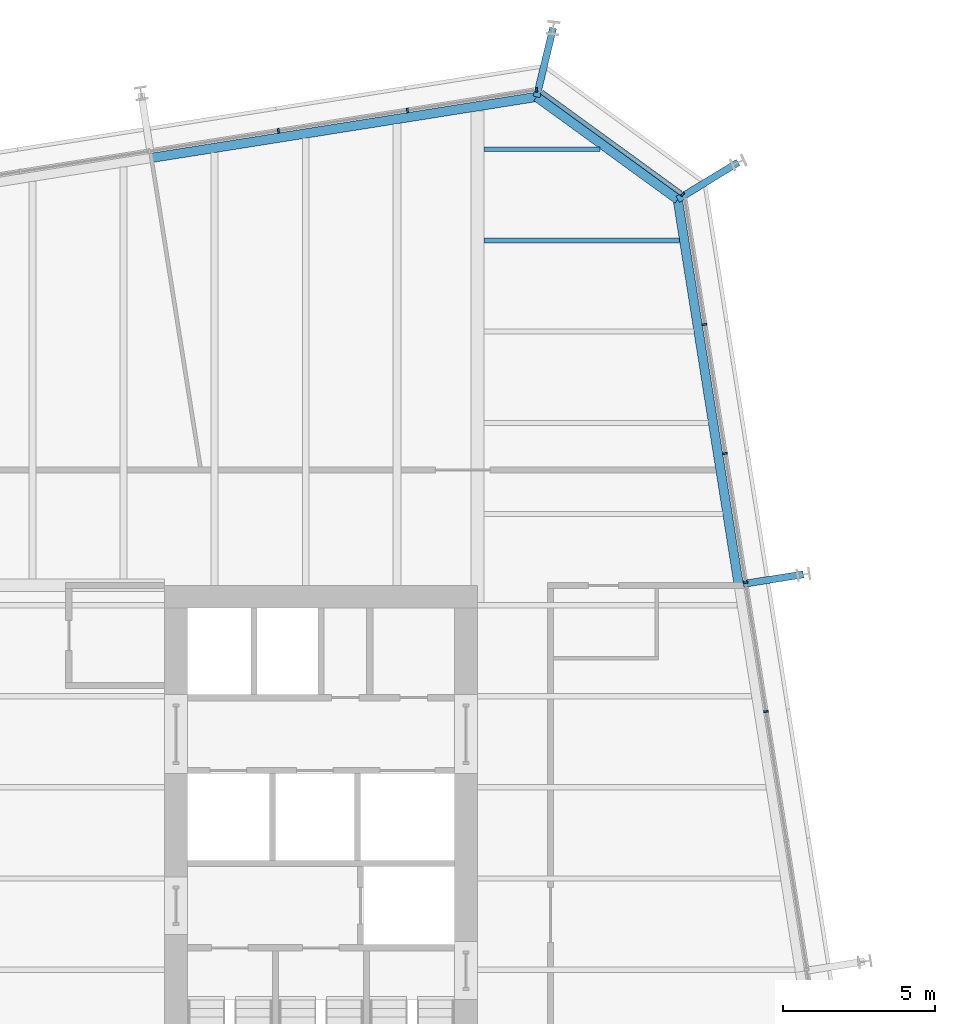
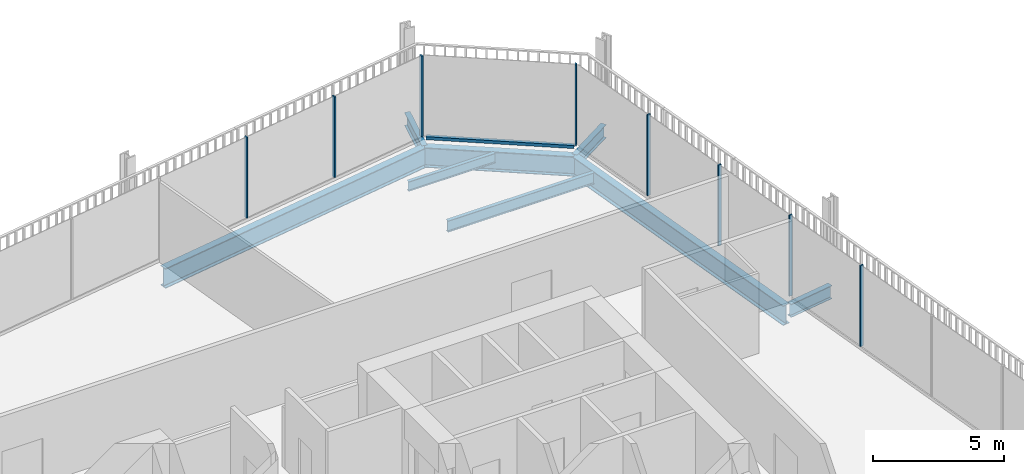
# One storey, part 15 of 21: 9 members, 8 beams, 3 elements without a shape of their own.
"""IFC4 building model written with IfcOpenShell, lengths in metres."""

from ifc_helpers import new_model, si_unit, direction, frame, origin, origin_2d, place, context, subcontext, project, spatial, rectangle, i_section, extrude, material, layer, layer_set, material_profile, profile_set, type_object, element, aggregate, save


model = new_model("IFC4")

# Units and contexts
model_context = context("Model", 3, precision=1e-05, world=origin(), true_north=direction((0.0, 1.0)))
body_context = subcontext(model_context, "Body", "Model", "MODEL_VIEW")
ifc_project = project(units=[si_unit("LENGTHUNIT", "METRE"), si_unit("AREAUNIT", "SQUARE_METRE"), si_unit("VOLUMEUNIT", "CUBIC_METRE"), si_unit("PLANEANGLEUNIT", "RADIAN"), si_unit("MASSUNIT", "GRAM", prefix="KILO")], contexts=[model_context])

# Site, building, storey
site_placement = place(None, origin())
site = spatial("IfcSite", under=ifc_project, at=site_placement, CompositionType="ELEMENT")
building_placement = place(site_placement, origin())
building = spatial("IfcBuilding", under=site, at=building_placement, Name="Millrace Tower", CompositionType="ELEMENT")
storey_placement = place(building_placement, frame((0.0, 0.0, 141.199951171875)))
storey = spatial("IfcBuildingStorey", under=building, at=storey_placement, Name="L31", CompositionType="ELEMENT", Elevation=141.199951171875)

# Curtain wall, members
ifc_material_1 = material(Name="Aluminium and glass", Category="aluminium")
ifc_layer = layer(ifc_material_1, 0.14990234375)
ifc_layer_set = layer_set([ifc_layer], Name="Aluminium and glass")
curtain_wall_type = type_object("IfcCurtainWallType", Name="CW-1 office vision curtain wall", PredefinedType="NOTDEFINED", material=ifc_layer_set)
placement = place(storey_placement, origin())
curtain_wall_1 = element("IfcCurtainWall", 1, at=placement, inside=storey, type_object=curtain_wall_type, Name="Curtain wall C-F04 L31", PredefinedType="NOTDEFINED")
ifc_material_2 = material(Name="Aluminium", Category="aluminium")
ifc_material_profile_1 = material_profile(ifc_material_2, rectangle(XDim=0.06494140625, YDim=0.14990234375, at=origin_2d()))
ifc_profile_set_1 = profile_set([ifc_material_profile_1], Name="Aluminium")
member_type_1 = type_object("IfcMemberType", Name="CW-1 office vision curtain wall mullion", PredefinedType="MULLION", material=ifc_profile_set_1)
member_1_placement = place(storey_placement, frame((24.143310546875, 5.49365234375, 0.14013671875), z_axis=(0.0, 0.0, 1.0), x_axis=(-0.15643447328, 0.98768833929, 0.0)))
member_1 = element("IfcMember", 2, at=member_1_placement, type_object=member_type_1, Name="CW1 mullion C-F04.6", PredefinedType="MULLION", context=body_context, shape_type="SweptSolid", body=[
    extrude(rectangle(XDim=0.06494140625, YDim=0.14990234375, at=origin_2d()), origin(), (0.0, 0.0, 1.0), 3.760009765625),
])
member_2_placement = place(storey_placement, frame((23.470703125, 9.74072265625, 0.14013671875), z_axis=(0.0, 0.0, 1.0), x_axis=(-0.15643447328, 0.98768833929, 0.0)))
member_2 = element("IfcMember", 3, at=member_2_placement, type_object=member_type_1, Name="CW1 mullion C-F04.7", PredefinedType="MULLION", context=body_context, shape_type="SweptSolid", body=[
    extrude(rectangle(XDim=0.06494140625, YDim=0.14990234375, at=origin_2d()), origin(), (0.0, 0.0, 1.0), 3.760009765625),
])
member_3_placement = place(storey_placement, frame((22.798095703125, 13.98779296875, 0.14013671875), z_axis=(0.0, 0.0, 1.0), x_axis=(-0.15643447328, 0.98768833929, 0.0)))
member_3 = element("IfcMember", 4, at=member_3_placement, type_object=member_type_1, Name="CW1 mullion C-F04.8", PredefinedType="MULLION", context=body_context, shape_type="SweptSolid", body=[
    extrude(rectangle(XDim=0.06494140625, YDim=0.14990234375, at=origin_2d()), origin(), (0.0, 0.0, 1.0), 3.760009765625),
])
member_4_placement = place(storey_placement, frame((22.125244140625, 18.23486328125, 0.14013671875), z_axis=(0.0, 0.0, 1.0), x_axis=(-0.15643447328, 0.98768833929, 0.0)))
member_4 = element("IfcMember", 5, at=member_4_placement, type_object=member_type_1, Name="CW1 mullion C-F04.9", PredefinedType="MULLION", context=body_context, shape_type="SweptSolid", body=[
    extrude(rectangle(XDim=0.06494140625, YDim=0.14990234375, at=origin_2d()), origin(), (0.0, 0.0, 1.0), 3.760009765625),
])
aggregate(curtain_wall_1, [member_1, member_2, member_3, member_4])

# Curtain wall, member
curtain_wall_2 = element("IfcCurtainWall", 6, at=placement, inside=storey, type_object=curtain_wall_type, Name="Curtain wall C-F05 L31", PredefinedType="NOTDEFINED")
member_5_placement = place(storey_placement, frame((21.4013671875, 22.517822265625, 0.14013671875), z_axis=(0.0, 0.0, 1.0), x_axis=(-0.809016981623, 0.587785269844, 0.0)))
member_5 = element("IfcMember", 7, at=member_5_placement, type_object=member_type_1, Name="CW1 mullion C-F05.1", PredefinedType="MULLION", context=body_context, shape_type="SweptSolid", body=[
    extrude(rectangle(XDim=0.06494140625, YDim=0.14990234375, at=origin_2d()), origin(), (0.0, 0.0, 1.0), 3.760009765625),
])

# Curtain wall, members
curtain_wall_3 = element("IfcCurtainWall", 8, at=placement, inside=storey, type_object=curtain_wall_type, Name="Curtain wall C-F06 L31", PredefinedType="NOTDEFINED")
member_6_placement = place(storey_placement, frame((16.591796875, 25.956787109375, 0.14013671875), z_axis=(0.0, 0.0, 1.0), x_axis=(-0.98768833929, -0.15643447328, 0.0)))
member_6 = element("IfcMember", 9, at=member_6_placement, type_object=member_type_1, Name="CW1 mullion C-F06.1", PredefinedType="MULLION", context=body_context, shape_type="SweptSolid", body=[
    extrude(rectangle(XDim=0.06494140625, YDim=0.14990234375, at=origin_2d()), origin(), (0.0, 0.0, 1.0), 3.760009765625),
])
member_7_placement = place(storey_placement, frame((12.3447265625, 25.283935546875, 0.14013671875), z_axis=(0.0, 0.0, 1.0), x_axis=(-0.98768833929, -0.15643447328, 0.0)))
member_7 = element("IfcMember", 10, at=member_7_placement, type_object=member_type_1, Name="CW1 mullion C-F06.2", PredefinedType="MULLION", context=body_context, shape_type="SweptSolid", body=[
    extrude(rectangle(XDim=0.06494140625, YDim=0.14990234375, at=origin_2d()), origin(), (0.0, 0.0, 1.0), 3.760009765625),
])
member_8_placement = place(storey_placement, frame((8.09765625, 24.611328125, 0.14013671875), z_axis=(0.0, 0.0, 1.0), x_axis=(-0.98768833929, -0.15643447328, 0.0)))
member_8 = element("IfcMember", 11, at=member_8_placement, type_object=member_type_1, Name="CW1 mullion C-F06.3", PredefinedType="MULLION", context=body_context, shape_type="SweptSolid", body=[
    extrude(rectangle(XDim=0.06494140625, YDim=0.14990234375, at=origin_2d()), origin(), (0.0, 0.0, 1.0), 3.760009765625),
])
aggregate(curtain_wall_3, [member_6, member_7, member_8])

# Member
ifc_material_3 = material(Name="Aluminium", Category="aluminium")
ifc_material_profile_2 = material_profile(ifc_material_3, rectangle(XDim=0.14990234375, YDim=0.139892578125, at=origin_2d()))
ifc_profile_set_2 = profile_set([ifc_material_profile_2], Name="Aluminium")
member_type_2 = type_object("IfcMemberType", Name="CW-1 office vision curtain wall transom", PredefinedType="USERDEFINED", material=ifc_profile_set_2)
member_9_placement = place(storey_placement, frame((21.346923828125, 22.557373046875, 0.070068359375), z_axis=(-0.809013470651, 0.587790102252, 0.0), x_axis=(-0.587790102252, -0.809013470651, 0.0)))
member_9 = element("IfcMember", 12, at=member_9_placement, type_object=member_type_2, Name="CW1 transom C-F05.1", ObjectType="TRANSOM", PredefinedType="USERDEFINED", context=body_context, shape_type="SweptSolid", body=[
    extrude(rectangle(XDim=0.14990234375, YDim=0.139892578125, at=origin_2d()), origin(), (0.0, 0.0, 1.0), 5.669189453125),
])

aggregate(curtain_wall_2, [member_5, member_9])

# Beams
ifc_material_4 = material(Name="Steel ASTM A992 Grade 50", Category="steel")
ifc_material_profile_3 = material_profile(ifc_material_4, i_section(OverallWidth=0.15234375, OverallDepth=0.449462890625, WebThickness=0.007568359375, FlangeThickness=0.0107421875, FilletRadius=0.01025390625, at=origin_2d()))
ifc_profile_set_3 = profile_set([ifc_material_profile_3], Name="Steel ASTM A992 Grade 50")
beam_type_1 = type_object("IfcBeamType", Name="Floor beam W18x35", PredefinedType="JOIST", material=ifc_profile_set_3)
beam_1_placement = place(storey_placement, frame((14.859619140625, 24.0, -0.384765625), z_axis=(1.0, 0.0, 0.0), x_axis=(0.0, 1.0, 0.0)))
element("IfcBeam", 13, at=beam_1_placement, inside=storey, type_object=beam_type_1, Name="BM-C-L31-S1-S038", PredefinedType="JOIST", context=body_context, shape_type="SweptSolid", body=[
    extrude(i_section(OverallWidth=0.15234375, OverallDepth=0.449462890625, WebThickness=0.007568359375, FlangeThickness=0.0107421875, FilletRadius=0.01025390625, at=origin_2d()), origin(), (0.0, 0.0, 1.0), 3.8232421875),
])
ifc_material_5 = material(Name="Steel ASTM A992 Grade 50", Category="steel")
ifc_material_profile_4 = material_profile(ifc_material_5, i_section(OverallWidth=0.1650390625, OverallDepth=0.52587890625, WebThickness=0.0087890625, FlangeThickness=0.011474609375, FilletRadius=0.0126953125, at=origin_2d()))
ifc_profile_set_4 = profile_set([ifc_material_profile_4], Name="Steel ASTM A992 Grade 50")
beam_type_2 = type_object("IfcBeamType", Name="Floor beam W21x44", PredefinedType="JOIST", material=ifc_profile_set_4)
beam_2_placement = place(storey_placement, frame((14.859619140625, 21.0, -0.4228515625), z_axis=(1.0, 0.0, 0.0), x_axis=(0.0, 1.0, 0.0)))
element("IfcBeam", 14, at=beam_2_placement, inside=storey, type_object=beam_type_2, Name="BM-C-L31-S1-S037", PredefinedType="JOIST", context=body_context, shape_type="SweptSolid", body=[
    extrude(i_section(OverallWidth=0.1650390625, OverallDepth=0.52587890625, WebThickness=0.0087890625, FlangeThickness=0.011474609375, FilletRadius=0.0126953125, at=origin_2d()), origin(), (0.0, 0.0, 1.0), 6.440673828125),
])
ifc_material_6 = material(Name="Steel ASTM A992 Grade 50", Category="steel")
ifc_material_profile_5 = material_profile(ifc_material_6, i_section(OverallWidth=0.23046875, OverallDepth=0.6171875, WebThickness=0.01318359375, FlangeThickness=0.022216796875, FilletRadius=0.012939453125, at=origin_2d()))
ifc_profile_set_5 = profile_set([ifc_material_profile_5], Name="Steel ASTM A992 Grade 50")
beam_type_3 = type_object("IfcBeamType", Name="Link beam W24x94", PredefinedType="BEAM", material=ifc_profile_set_5)
beam_3_placement = place(storey_placement, frame((16.5966796875, 25.725830078125, -0.468505859375), z_axis=(0.233432364948, 0.972373041068, 0.0), x_axis=(-0.972373041068, 0.233432364948, 0.0)))
element("IfcBeam", 15, at=beam_3_placement, inside=storey, type_object=beam_type_3, Name="LNK-C-L31-S1-08", PredefinedType="BEAM", context=body_context, shape_type="SweptSolid", body=[
    extrude(i_section(OverallWidth=0.23046875, OverallDepth=0.6171875, WebThickness=0.01318359375, FlangeThickness=0.022216796875, FilletRadius=0.012939453125, at=origin_2d()), origin(), (0.0, 0.0, 1.0), 2.331298828125),
])
beam_4_placement = place(storey_placement, frame((21.241943359375, 22.35107421875, -0.468505859375), z_axis=(0.852631355792, 0.522512938711, 0.0), x_axis=(-0.522512938711, 0.852631355792, 0.0)))
element("IfcBeam", 16, at=beam_4_placement, inside=storey, type_object=beam_type_3, Name="LNK-C-L31-S1-09", PredefinedType="BEAM", context=body_context, shape_type="SweptSolid", body=[
    extrude(i_section(OverallWidth=0.23046875, OverallDepth=0.6171875, WebThickness=0.01318359375, FlangeThickness=0.022216796875, FilletRadius=0.012939453125, at=origin_2d()), origin(), (0.0, 0.0, 1.0), 2.3310546875),
])
beam_5_placement = place(storey_placement, frame((23.401611328125, 9.69677734375, -0.468505859375), z_axis=(0.987678691416, 0.156495375404, 0.0), x_axis=(-0.156495375404, 0.987678691416, 0.0)))
element("IfcBeam", 17, at=beam_5_placement, inside=storey, type_object=beam_type_3, Name="LNK-C-L31-S1-10", PredefinedType="BEAM", context=body_context, shape_type="SweptSolid", body=[
    extrude(i_section(OverallWidth=0.23046875, OverallDepth=0.6171875, WebThickness=0.01318359375, FlangeThickness=0.022216796875, FilletRadius=0.012939453125, at=origin_2d()), origin(), (0.0, 0.0, 1.0), 2.0),
])
ifc_material_7 = material(Name="Steel ASTM A992 Grade 50", Category="steel")
ifc_material_profile_6 = material_profile(ifc_material_7, i_section(OverallWidth=0.307373046875, OverallDepth=0.927001953125, WebThickness=0.01953125, FlangeThickness=0.031982421875, FilletRadius=0.01904296875, at=origin_2d()))
ifc_profile_set_6 = profile_set([ifc_material_profile_6], Name="Steel ASTM A992 Grade 50")
beam_type_4 = type_object("IfcBeamType", Name="Ring beam medium span W36x194", PredefinedType="SPANDREL", material=ifc_profile_set_6)
for number, where, z_axis, x_axis, name in (
    (18, (3.91845703125, 23.718017578125, -0.62353515625), (0.987690996996, 0.156417692264, 0.0), (-0.156417692264, 0.987690996996, 0.0), "RNG-C-L31-S1-07"),
    (19, (21.241943359375, 22.35107421875, -0.62353515625), (0.156436246498, -0.987688058438, 0.0), (0.987688058438, 0.156436246498, 0.0), "RNG-C-L31-S1-09"),
):
    element("IfcBeam", number, at=place(storey_placement, frame(where, z_axis=z_axis, x_axis=x_axis)), inside=storey, type_object=beam_type_4, Name=name, PredefinedType="SPANDREL", context=body_context, shape_type="SweptSolid", body=[
        extrude(i_section(OverallWidth=0.307373046875, OverallDepth=0.927001953125, WebThickness=0.01953125, FlangeThickness=0.031982421875, FilletRadius=0.01904296875, at=origin_2d()), origin(), (0.0, 0.0, 1.0), 12.836181640625),
    ])
ifc_material_8 = material(Name="Steel ASTM A992 Grade 50", Category="steel")
ifc_material_profile_7 = material_profile(ifc_material_8, i_section(OverallWidth=0.307373046875, OverallDepth=0.927001953125, WebThickness=0.01953125, FlangeThickness=0.031982421875, FilletRadius=0.01904296875, at=origin_2d()))
ifc_profile_set_7 = profile_set([ifc_material_profile_7], Name="Steel ASTM A992 Grade 50")
beam_type_5 = type_object("IfcBeamType", Name="Ring beam short span W36x194", PredefinedType="SPANDREL", material=ifc_profile_set_7)
beam_6_placement = place(storey_placement, frame((16.5966796875, 25.725830078125, -0.62353515625), z_axis=(0.809035690681, -0.587759518174, 0.0), x_axis=(0.587759518174, 0.809035690681, 0.0)))
element("IfcBeam", 20, at=beam_6_placement, inside=storey, type_object=beam_type_5, Name="RNG-C-L31-S1-08", PredefinedType="SPANDREL", context=body_context, shape_type="SweptSolid", body=[
    extrude(i_section(OverallWidth=0.307373046875, OverallDepth=0.927001953125, WebThickness=0.01953125, FlangeThickness=0.031982421875, FilletRadius=0.01904296875, at=origin_2d()), origin(), (0.0, 0.0, 1.0), 5.74169921875),
])

save(model, "model.ifc")
